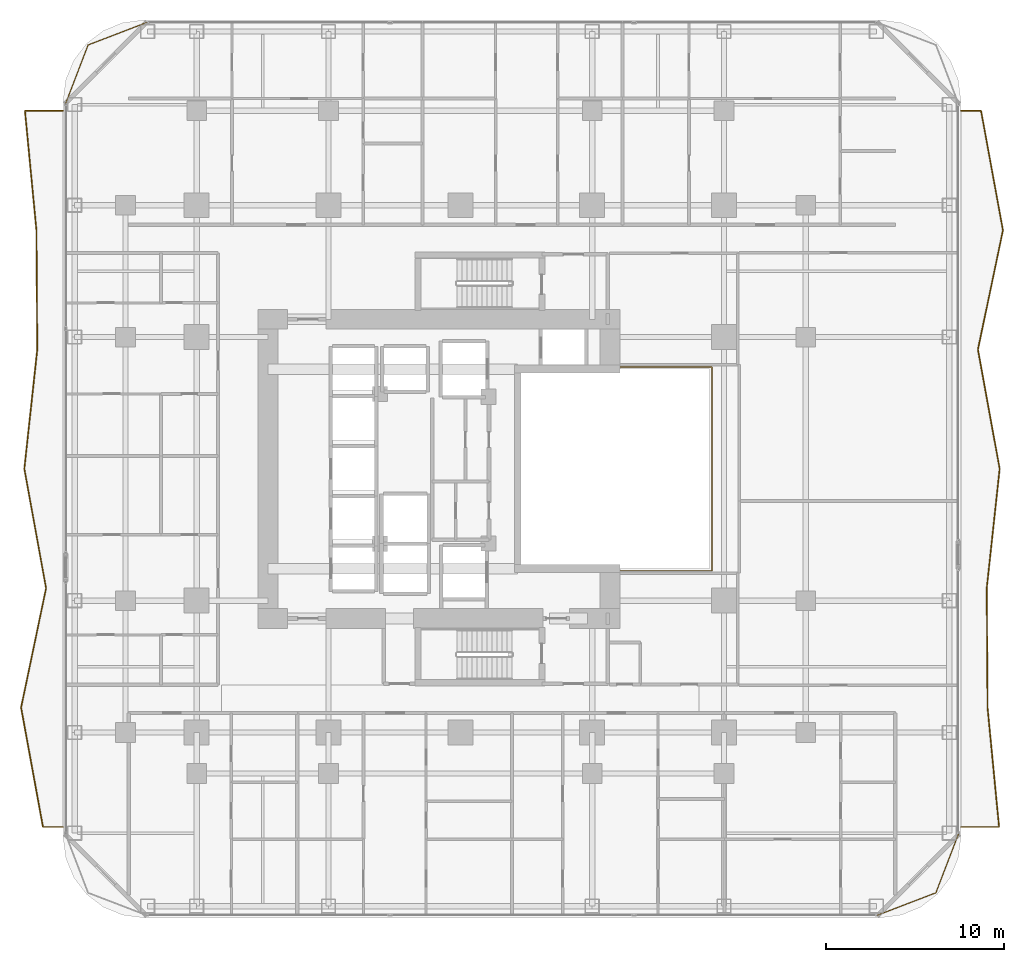
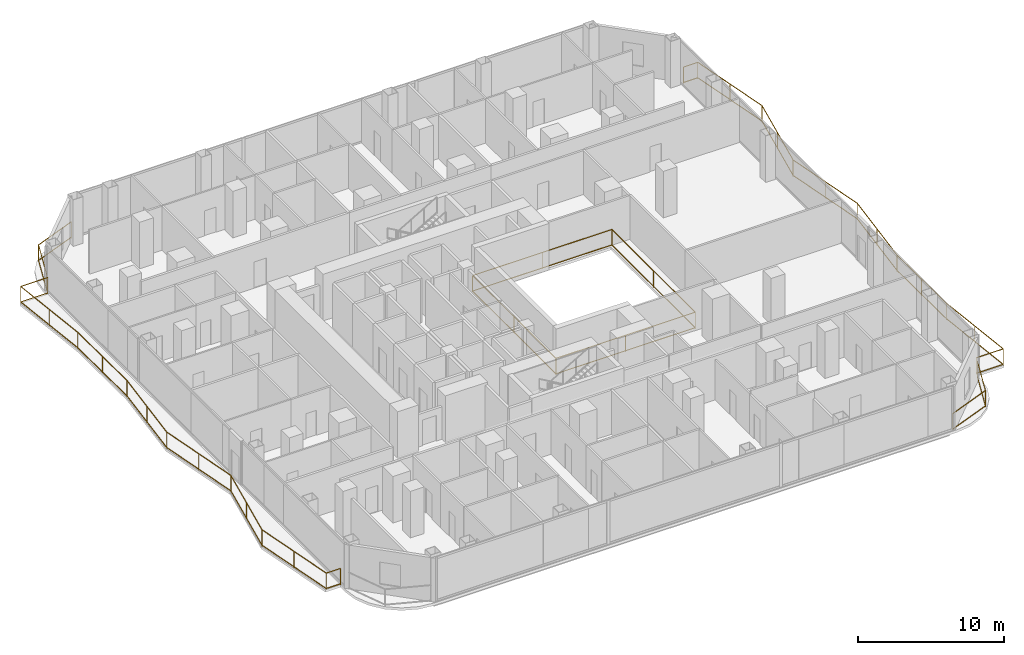
# One storey, part 27 of 28: 5 railings.
"""IFC4 building model written with IfcOpenShell, lengths in metres."""

from ifc_helpers import new_model, si_unit, direction, frame, origin, origin_2d, place, context, subcontext, project, spatial, rectangle, extrude, material, type_object, element, save


model = new_model("IFC4")

# Units and contexts
model_context = context("Model", 3, precision=1e-05, world=origin(), true_north=direction((0.0, 1.0)))
body_context = subcontext(model_context, "Body", "Model", "MODEL_VIEW")
ifc_project = project(units=[si_unit("LENGTHUNIT", "METRE"), si_unit("AREAUNIT", "SQUARE_METRE"), si_unit("VOLUMEUNIT", "CUBIC_METRE"), si_unit("PLANEANGLEUNIT", "RADIAN"), si_unit("MASSUNIT", "GRAM", prefix="KILO")], contexts=[model_context])

# Site, building, storey
site_placement = place(None, origin())
site = spatial("IfcSite", under=ifc_project, at=site_placement, CompositionType="ELEMENT")
building_placement = place(site_placement, origin())
building = spatial("IfcBuilding", under=site, at=building_placement, Name="Khorvyn Point Tower", CompositionType="ELEMENT")
storey_placement = place(building_placement, frame((0.0, 0.0, 34.5)))
storey = spatial("IfcBuildingStorey", under=building, at=storey_placement, Name="L09", CompositionType="ELEMENT", Elevation=34.5)

# Railings
ifc_material_1 = material(Name="Stainless steel 1.4401 and laminated glass", Category="steel")
railing_type_1 = type_object("IfcRailingType", Name="Crystal Atrium Smoke-Rated Perimeter Guardrail 1400", PredefinedType="GUARDRAIL", material=ifc_material_1)
railing_1_placement = place(storey_placement, frame((3.080078125, -5.719970703125, 0.0)))
element("IfcRailing", 1, at=railing_1_placement, inside=storey, type_object=railing_type_1, Name="L09 Crystal Atrium Perimeter Guardrail", PredefinedType="GUARDRAIL", context=body_context, shape_type="SweptSolid", body=[
    extrude(rectangle(XDim=0.048095703125, YDim=0.048095703125, at=origin_2d()), frame((0.0, 0.0, 1.3759765625), z_axis=(1.0, 0.0, 0.0), x_axis=(0.0, 1.0, 0.0)), (0.0, 0.0, 1.0), 11.0400390625),
    extrude(rectangle(XDim=0.048095703125, YDim=0.048095703125, at=origin_2d()), frame((0.0, 0.0, 0.080078125), z_axis=(1.0, 0.0, 0.0), x_axis=(0.0, 1.0, 0.0)), (0.0, 0.0, 1.0), 11.0400390625),
    extrude(rectangle(XDim=0.048095703125, YDim=0.048095703125, at=origin_2d()), frame((11.0400390625, 0.0, 1.3759765625), z_axis=(0.0, 1.0, 0.0), x_axis=(-1.0, 0.0, 0.0)), (0.0, 0.0, 1.0), 11.43994140625),
    extrude(rectangle(XDim=0.048095703125, YDim=0.048095703125, at=origin_2d()), frame((11.0400390625, 0.0, 0.080078125), z_axis=(0.0, 1.0, 0.0), x_axis=(-1.0, 0.0, 0.0)), (0.0, 0.0, 1.0), 11.43994140625),
    extrude(rectangle(XDim=0.048095703125, YDim=0.048095703125, at=origin_2d()), frame((11.0400390625, 11.43994140625, 1.3759765625), z_axis=(-1.0, 0.0, 0.0), x_axis=(0.0, -1.0, 0.0)), (0.0, 0.0, 1.0), 11.0400390625),
    extrude(rectangle(XDim=0.048095703125, YDim=0.048095703125, at=origin_2d()), frame((11.0400390625, 11.43994140625, 0.080078125), z_axis=(-1.0, 0.0, 0.0), x_axis=(0.0, -1.0, 0.0)), (0.0, 0.0, 1.0), 11.0400390625),
    extrude(rectangle(XDim=0.048095703125, YDim=0.048095703125, at=origin_2d()), frame((0.0, 11.43994140625, 1.3759765625), z_axis=(0.0, -1.0, 0.0), x_axis=(1.0, 0.0, 0.0)), (0.0, 0.0, 1.0), 11.409912109375),
    extrude(rectangle(XDim=0.048095703125, YDim=0.048095703125, at=origin_2d()), frame((0.0, 11.43994140625, 0.080078125), z_axis=(0.0, -1.0, 0.0), x_axis=(1.0, 0.0, 0.0)), (0.0, 0.0, 1.0), 11.409912109375),
    extrude(rectangle(XDim=0.0419921875, YDim=0.0419921875, at=origin_2d()), origin(), (0.0, 0.0, 1.0), 1.351806640625),
    extrude(rectangle(XDim=0.0419921875, YDim=0.0419921875, at=origin_2d()), frame((5.52001953125, 0.0, 0.0)), (0.0, 0.0, 1.0), 1.351806640625),
    extrude(rectangle(XDim=0.0419921875, YDim=0.0419921875, at=origin_2d()), frame((11.0400390625, 0.0, 0.0)), (0.0, 0.0, 1.0), 1.351806640625),
    extrude(rectangle(XDim=0.0419921875, YDim=0.0419921875, at=origin_2d()), frame((11.0400390625, 5.719970703125, 0.0)), (0.0, 0.0, 1.0), 1.351806640625),
    extrude(rectangle(XDim=0.0419921875, YDim=0.0419921875, at=origin_2d()), frame((11.0400390625, 11.43994140625, 0.0)), (0.0, 0.0, 1.0), 1.351806640625),
    extrude(rectangle(XDim=0.0419921875, YDim=0.0419921875, at=origin_2d()), frame((5.52001953125, 11.43994140625, 0.0)), (0.0, 0.0, 1.0), 1.351806640625),
    extrude(rectangle(XDim=0.0419921875, YDim=0.0419921875, at=origin_2d()), frame((0.0, 11.43994140625, 0.0)), (0.0, 0.0, 1.0), 1.351806640625),
    extrude(rectangle(XDim=0.0419921875, YDim=0.0419921875, at=origin_2d()), frame((0.0, 5.73486328125, 0.0)), (0.0, 0.0, 1.0), 1.351806640625),
    extrude(rectangle(XDim=0.0419921875, YDim=0.0419921875, at=origin_2d()), frame((0.0, 0.030029296875, 0.0)), (0.0, 0.0, 1.0), 1.351806640625),
])
ifc_material_2 = material(Name="Anodised aluminium 6063-T6 and laminated safety glass", Category="aluminium")
railing_type_2 = type_object("IfcRailingType", Name="Laminated Glass and Aluminium Balcony Guardrail 1400", PredefinedType="BALUSTRADE", material=ifc_material_2)
railing_2_placement = place(storey_placement, frame((-17.57080078125, 25.073974609375, 0.0)))
element("IfcRailing", 2, at=railing_2_placement, inside=storey, type_object=railing_type_2, Name="L09 Rounded Corner Edge Guardrail NW", PredefinedType="BALUSTRADE", context=body_context, shape_type="SweptSolid", body=[
    extrude(rectangle(XDim=0.048095703125, YDim=0.048095703125, at=origin_2d()), frame((0.0, 0.0, 1.3759765625), z_axis=(-0.933583807283, -0.358359142172, 0.0), x_axis=(0.358359142172, -0.933583807283, 0.0)), (0.0, 0.0, 1.0), 3.56298828125),
    extrude(rectangle(XDim=0.048095703125, YDim=0.048095703125, at=origin_2d()), frame((0.0, 0.0, 0.080078125), z_axis=(-0.933583807283, -0.358359142172, 0.0), x_axis=(0.358359142172, -0.933583807283, 0.0)), (0.0, 0.0, 1.0), 3.56298828125),
    extrude(rectangle(XDim=0.048095703125, YDim=0.048095703125, at=origin_2d()), frame((-3.326416015625, -1.27685546875, 1.3759765625), z_axis=(-0.358359142172, -0.933583807283, 0.0), x_axis=(0.933583807283, -0.358359142172, 0.0)), (0.0, 0.0, 1.0), 3.56298828125),
    extrude(rectangle(XDim=0.048095703125, YDim=0.048095703125, at=origin_2d()), frame((-3.326416015625, -1.27685546875, 0.080078125), z_axis=(-0.358359142172, -0.933583807283, 0.0), x_axis=(0.933583807283, -0.358359142172, 0.0)), (0.0, 0.0, 1.0), 3.56298828125),
    extrude(rectangle(XDim=0.0419921875, YDim=0.0419921875, at=origin_2d()), origin(), (0.0, 0.0, 1.0), 1.351806640625),
    extrude(rectangle(XDim=0.0419921875, YDim=0.0419921875, at=origin_2d()), frame((-3.326416015625, -1.27685546875, 0.0)), (0.0, 0.0, 1.0), 1.351806640625),
    extrude(rectangle(XDim=0.0419921875, YDim=0.0419921875, at=origin_2d()), frame((-4.603271484375, -4.603271484375, 0.0)), (0.0, 0.0, 1.0), 1.351806640625),
])
railing_3_placement = place(storey_placement, frame((23.370849609375, -25.073974609375, 0.0)))
element("IfcRailing", 3, at=railing_3_placement, inside=storey, type_object=railing_type_2, Name="L09 Rounded Corner Edge Guardrail SE", PredefinedType="BALUSTRADE", context=body_context, shape_type="SweptSolid", body=[
    extrude(rectangle(XDim=0.048095703125, YDim=0.048095703125, at=origin_2d()), frame((0.0, 0.0, 1.3759765625), z_axis=(0.933575007025, 0.358382067435, 0.0), x_axis=(-0.358382067435, 0.933575007025, 0.0)), (0.0, 0.0, 1.0), 3.562744140625),
    extrude(rectangle(XDim=0.048095703125, YDim=0.048095703125, at=origin_2d()), frame((0.0, 0.0, 0.080078125), z_axis=(0.933575007025, 0.358382067435, 0.0), x_axis=(-0.358382067435, 0.933575007025, 0.0)), (0.0, 0.0, 1.0), 3.562744140625),
    extrude(rectangle(XDim=0.048095703125, YDim=0.048095703125, at=origin_2d()), frame((3.326171875, 1.27685546875, 1.3759765625), z_axis=(0.35841886047, 0.933560882031, 0.0), x_axis=(-0.933560882031, 0.35841886047, 0.0)), (0.0, 0.0, 1.0), 3.563232421875),
    extrude(rectangle(XDim=0.048095703125, YDim=0.048095703125, at=origin_2d()), frame((3.326171875, 1.27685546875, 0.080078125), z_axis=(0.35841886047, 0.933560882031, 0.0), x_axis=(-0.933560882031, 0.35841886047, 0.0)), (0.0, 0.0, 1.0), 3.563232421875),
    extrude(rectangle(XDim=0.0419921875, YDim=0.0419921875, at=origin_2d()), origin(), (0.0, 0.0, 1.0), 1.351806640625),
    extrude(rectangle(XDim=0.0419921875, YDim=0.0419921875, at=origin_2d()), frame((3.326171875, 1.27685546875, 0.0)), (0.0, 0.0, 1.0), 1.351806640625),
    extrude(rectangle(XDim=0.0419921875, YDim=0.0419921875, at=origin_2d()), frame((4.603271484375, 4.603271484375, 0.0)), (0.0, 0.0, 1.0), 1.351806640625),
])
railing_4_placement = place(storey_placement, frame((28.10009765625, -20.10009765625, 0.0)))
element("IfcRailing", 4, at=railing_4_placement, inside=storey, type_object=railing_type_2, Name="L09 East Balcony Guardrail", PredefinedType="BALUSTRADE", context=body_context, shape_type="SweptSolid", body=[
    extrude(rectangle(XDim=0.048095703125, YDim=0.048095703125, at=origin_2d()), frame((0.0, 0.0, 1.3759765625), z_axis=(1.0, 0.0, 0.0), x_axis=(0.0, 1.0, 0.0)), (0.0, 0.0, 1.0), 2.142578125),
    extrude(rectangle(XDim=0.048095703125, YDim=0.048095703125, at=origin_2d()), frame((0.0, 0.0, 0.080078125), z_axis=(1.0, 0.0, 0.0), x_axis=(0.0, 1.0, 0.0)), (0.0, 0.0, 1.0), 2.142578125),
    extrude(rectangle(XDim=0.048095703125, YDim=0.048095703125, at=origin_2d()), frame((2.142578125, 0.0, 1.3759765625), z_axis=(-0.09586168551, 0.995394664066, 0.0), x_axis=(-0.995394664066, -0.09586168551, 0.0)), (0.0, 0.0, 1.0), 6.731201171875),
    extrude(rectangle(XDim=0.048095703125, YDim=0.048095703125, at=origin_2d()), frame((2.142578125, 0.0, 0.080078125), z_axis=(-0.09586168551, 0.995394664066, 0.0), x_axis=(-0.995394664066, -0.09586168551, 0.0)), (0.0, 0.0, 1.0), 6.731201171875),
    extrude(rectangle(XDim=0.048095703125, YDim=0.048095703125, at=origin_2d()), frame((1.497314453125, 6.7001953125, 1.3759765625), z_axis=(-0.006850402242, 0.999976535719, 0.0), x_axis=(-0.999976535719, -0.006850402242, 0.0)), (0.0, 0.0, 1.0), 6.7001953125),
    extrude(rectangle(XDim=0.048095703125, YDim=0.048095703125, at=origin_2d()), frame((1.497314453125, 6.7001953125, 0.080078125), z_axis=(-0.006850402242, 0.999976535719, 0.0), x_axis=(-0.999976535719, -0.006850402242, 0.0)), (0.0, 0.0, 1.0), 6.7001953125),
    extrude(rectangle(XDim=0.048095703125, YDim=0.048095703125, at=origin_2d()), frame((1.451416015625, 13.400146484375, 1.3759765625), z_axis=(0.107631852309, 0.994190818892, 0.0), x_axis=(-0.994190818892, 0.107631852309, 0.0)), (0.0, 0.0, 1.0), 6.739013671875),
    extrude(rectangle(XDim=0.048095703125, YDim=0.048095703125, at=origin_2d()), frame((1.451416015625, 13.400146484375, 0.080078125), z_axis=(0.107631852309, 0.994190818892, 0.0), x_axis=(-0.994190818892, 0.107631852309, 0.0)), (0.0, 0.0, 1.0), 6.739013671875),
    extrude(rectangle(XDim=0.048095703125, YDim=0.048095703125, at=origin_2d()), frame((2.1767578125, 20.10009765625, 1.3759765625), z_axis=(-0.179106269286, 0.98382973339, 0.0), x_axis=(-0.98382973339, -0.179106269286, 0.0)), (0.0, 0.0, 1.0), 6.81005859375),
    extrude(rectangle(XDim=0.048095703125, YDim=0.048095703125, at=origin_2d()), frame((2.1767578125, 20.10009765625, 0.080078125), z_axis=(-0.179106269286, 0.98382973339, 0.0), x_axis=(-0.98382973339, -0.179106269286, 0.0)), (0.0, 0.0, 1.0), 6.81005859375),
    extrude(rectangle(XDim=0.048095703125, YDim=0.048095703125, at=origin_2d()), frame((0.95703125, 26.800048828125, 1.3759765625), z_axis=(0.204969631985, 0.978768333143, 0.0), x_axis=(-0.978768333143, 0.204969631985, 0.0)), (0.0, 0.0, 1.0), 6.84521484375),
    extrude(rectangle(XDim=0.048095703125, YDim=0.048095703125, at=origin_2d()), frame((0.95703125, 26.800048828125, 0.080078125), z_axis=(0.204969631985, 0.978768333143, 0.0), x_axis=(-0.978768333143, 0.204969631985, 0.0)), (0.0, 0.0, 1.0), 6.84521484375),
    extrude(rectangle(XDim=0.048095703125, YDim=0.048095703125, at=origin_2d()), frame((2.360107421875, 33.5, 1.3759765625), z_axis=(-0.180348673749, 0.983602742919, 0.0), x_axis=(-0.983602742919, -0.180348673749, 0.0)), (0.0, 0.0, 1.0), 6.81201171875),
    extrude(rectangle(XDim=0.048095703125, YDim=0.048095703125, at=origin_2d()), frame((2.360107421875, 33.5, 0.080078125), z_axis=(-0.180348673749, 0.983602742919, 0.0), x_axis=(-0.983602742919, -0.180348673749, 0.0)), (0.0, 0.0, 1.0), 6.81201171875),
    extrude(rectangle(XDim=0.048095703125, YDim=0.048095703125, at=origin_2d()), frame((1.131591796875, 40.2001953125, 1.3759765625), z_axis=(-1.0, 0.0, 0.0), x_axis=(0.0, -1.0, 0.0)), (0.0, 0.0, 1.0), 1.131591796875),
    extrude(rectangle(XDim=0.048095703125, YDim=0.048095703125, at=origin_2d()), frame((1.131591796875, 40.2001953125, 0.080078125), z_axis=(-1.0, 0.0, 0.0), x_axis=(0.0, -1.0, 0.0)), (0.0, 0.0, 1.0), 1.131591796875),
    extrude(rectangle(XDim=0.0419921875, YDim=0.0419921875, at=origin_2d()), origin(), (0.0, 0.0, 1.0), 1.351806640625),
    extrude(rectangle(XDim=0.0419921875, YDim=0.0419921875, at=origin_2d()), frame((2.142578125, 0.0, 0.0)), (0.0, 0.0, 1.0), 1.351806640625),
    extrude(rectangle(XDim=0.0419921875, YDim=0.0419921875, at=origin_2d()), frame((1.81982421875, 3.35009765625, 0.0)), (0.0, 0.0, 1.0), 1.351806640625),
    extrude(rectangle(XDim=0.0419921875, YDim=0.0419921875, at=origin_2d()), frame((1.497314453125, 6.7001953125, 0.0)), (0.0, 0.0, 1.0), 1.351806640625),
    extrude(rectangle(XDim=0.0419921875, YDim=0.0419921875, at=origin_2d()), frame((1.474365234375, 10.05029296875, 0.0)), (0.0, 0.0, 1.0), 1.351806640625),
    extrude(rectangle(XDim=0.0419921875, YDim=0.0419921875, at=origin_2d()), frame((1.451416015625, 13.400146484375, 0.0)), (0.0, 0.0, 1.0), 1.351806640625),
    extrude(rectangle(XDim=0.0419921875, YDim=0.0419921875, at=origin_2d()), frame((1.81396484375, 16.75, 0.0)), (0.0, 0.0, 1.0), 1.351806640625),
    extrude(rectangle(XDim=0.0419921875, YDim=0.0419921875, at=origin_2d()), frame((2.1767578125, 20.10009765625, 0.0)), (0.0, 0.0, 1.0), 1.351806640625),
    extrude(rectangle(XDim=0.0419921875, YDim=0.0419921875, at=origin_2d()), frame((1.56689453125, 23.4501953125, 0.0)), (0.0, 0.0, 1.0), 1.351806640625),
    extrude(rectangle(XDim=0.0419921875, YDim=0.0419921875, at=origin_2d()), frame((0.95703125, 26.800048828125, 0.0)), (0.0, 0.0, 1.0), 1.351806640625),
    extrude(rectangle(XDim=0.0419921875, YDim=0.0419921875, at=origin_2d()), frame((1.65869140625, 30.14990234375, 0.0)), (0.0, 0.0, 1.0), 1.351806640625),
    extrude(rectangle(XDim=0.0419921875, YDim=0.0419921875, at=origin_2d()), frame((2.360107421875, 33.5, 0.0)), (0.0, 0.0, 1.0), 1.351806640625),
    extrude(rectangle(XDim=0.0419921875, YDim=0.0419921875, at=origin_2d()), frame((1.745849609375, 36.85009765625, 0.0)), (0.0, 0.0, 1.0), 1.351806640625),
    extrude(rectangle(XDim=0.0419921875, YDim=0.0419921875, at=origin_2d()), frame((1.131591796875, 40.2001953125, 0.0)), (0.0, 0.0, 1.0), 1.351806640625),
    extrude(rectangle(XDim=0.0419921875, YDim=0.0419921875, at=origin_2d()), frame((0.0, 40.2001953125, 0.0)), (0.0, 0.0, 1.0), 1.351806640625),
])
railing_5_placement = place(storey_placement, frame((-22.300048828125, 20.10009765625, 0.0)))
element("IfcRailing", 5, at=railing_5_placement, inside=storey, type_object=railing_type_2, Name="L09 West Balcony Guardrail", PredefinedType="BALUSTRADE", context=body_context, shape_type="SweptSolid", body=[
    extrude(rectangle(XDim=0.048095703125, YDim=0.048095703125, at=origin_2d()), frame((0.0, 0.0, 1.3759765625), z_axis=(-1.0, 0.0, 0.0), x_axis=(0.0, -1.0, 0.0)), (0.0, 0.0, 1.0), 2.142578125),
    extrude(rectangle(XDim=0.048095703125, YDim=0.048095703125, at=origin_2d()), frame((0.0, 0.0, 0.080078125), z_axis=(-1.0, 0.0, 0.0), x_axis=(0.0, -1.0, 0.0)), (0.0, 0.0, 1.0), 2.142578125),
    extrude(rectangle(XDim=0.048095703125, YDim=0.048095703125, at=origin_2d()), frame((-2.142578125, 0.0, 1.3759765625), z_axis=(0.095825748596, -0.995398124323, 0.0), x_axis=(0.995398124323, 0.095825748596, 0.0)), (0.0, 0.0, 1.0), 6.731201171875),
    extrude(rectangle(XDim=0.048095703125, YDim=0.048095703125, at=origin_2d()), frame((-2.142578125, 0.0, 0.080078125), z_axis=(0.095825748596, -0.995398124323, 0.0), x_axis=(0.995398124323, 0.095825748596, 0.0)), (0.0, 0.0, 1.0), 6.731201171875),
    extrude(rectangle(XDim=0.048095703125, YDim=0.048095703125, at=origin_2d()), frame((-1.49755859375, -6.7001953125, 1.3759765625), z_axis=(0.006850402242, -0.999976535719, 0.0), x_axis=(0.999976535719, 0.006850402242, 0.0)), (0.0, 0.0, 1.0), 6.7001953125),
    extrude(rectangle(XDim=0.048095703125, YDim=0.048095703125, at=origin_2d()), frame((-1.49755859375, -6.7001953125, 0.080078125), z_axis=(0.006850402242, -0.999976535719, 0.0), x_axis=(0.999976535719, 0.006850402242, 0.0)), (0.0, 0.0, 1.0), 6.7001953125),
    extrude(rectangle(XDim=0.048095703125, YDim=0.048095703125, at=origin_2d()), frame((-1.45166015625, -13.400146484375, 1.3759765625), z_axis=(-0.107596044298, -0.994194694842, 0.0), x_axis=(0.994194694842, -0.107596044298, 0.0)), (0.0, 0.0, 1.0), 6.739013671875),
    extrude(rectangle(XDim=0.048095703125, YDim=0.048095703125, at=origin_2d()), frame((-1.45166015625, -13.400146484375, 0.080078125), z_axis=(-0.107596044298, -0.994194694842, 0.0), x_axis=(0.994194694842, -0.107596044298, 0.0)), (0.0, 0.0, 1.0), 6.739013671875),
    extrude(rectangle(XDim=0.048095703125, YDim=0.048095703125, at=origin_2d()), frame((-2.1767578125, -20.10009765625, 1.3759765625), z_axis=(0.179106269286, -0.98382973339, 0.0), x_axis=(0.98382973339, 0.179106269286, 0.0)), (0.0, 0.0, 1.0), 6.81005859375),
    extrude(rectangle(XDim=0.048095703125, YDim=0.048095703125, at=origin_2d()), frame((-2.1767578125, -20.10009765625, 0.080078125), z_axis=(0.179106269286, -0.98382973339, 0.0), x_axis=(0.98382973339, 0.179106269286, 0.0)), (0.0, 0.0, 1.0), 6.81005859375),
    extrude(rectangle(XDim=0.048095703125, YDim=0.048095703125, at=origin_2d()), frame((-0.95703125, -26.800048828125, 1.3759765625), z_axis=(-0.204969631985, -0.978768333143, 0.0), x_axis=(0.978768333143, -0.204969631985, 0.0)), (0.0, 0.0, 1.0), 6.84521484375),
    extrude(rectangle(XDim=0.048095703125, YDim=0.048095703125, at=origin_2d()), frame((-0.95703125, -26.800048828125, 0.080078125), z_axis=(-0.204969631985, -0.978768333143, 0.0), x_axis=(0.978768333143, -0.204969631985, 0.0)), (0.0, 0.0, 1.0), 6.84521484375),
    extrude(rectangle(XDim=0.048095703125, YDim=0.048095703125, at=origin_2d()), frame((-2.360107421875, -33.5, 1.3759765625), z_axis=(0.180348673749, -0.983602742919, 0.0), x_axis=(0.983602742919, 0.180348673749, 0.0)), (0.0, 0.0, 1.0), 6.81201171875),
    extrude(rectangle(XDim=0.048095703125, YDim=0.048095703125, at=origin_2d()), frame((-2.360107421875, -33.5, 0.080078125), z_axis=(0.180348673749, -0.983602742919, 0.0), x_axis=(0.983602742919, 0.180348673749, 0.0)), (0.0, 0.0, 1.0), 6.81201171875),
    extrude(rectangle(XDim=0.048095703125, YDim=0.048095703125, at=origin_2d()), frame((-1.131591796875, -40.2001953125, 1.3759765625), z_axis=(1.0, 0.0, 0.0), x_axis=(0.0, 1.0, 0.0)), (0.0, 0.0, 1.0), 1.131591796875),
    extrude(rectangle(XDim=0.048095703125, YDim=0.048095703125, at=origin_2d()), frame((-1.131591796875, -40.2001953125, 0.080078125), z_axis=(1.0, 0.0, 0.0), x_axis=(0.0, 1.0, 0.0)), (0.0, 0.0, 1.0), 1.131591796875),
    extrude(rectangle(XDim=0.0419921875, YDim=0.0419921875, at=origin_2d()), origin(), (0.0, 0.0, 1.0), 1.351806640625),
    extrude(rectangle(XDim=0.0419921875, YDim=0.0419921875, at=origin_2d()), frame((-2.142578125, 0.0, 0.0)), (0.0, 0.0, 1.0), 1.351806640625),
    extrude(rectangle(XDim=0.0419921875, YDim=0.0419921875, at=origin_2d()), frame((-1.820068359375, -3.35009765625, 0.0)), (0.0, 0.0, 1.0), 1.351806640625),
    extrude(rectangle(XDim=0.0419921875, YDim=0.0419921875, at=origin_2d()), frame((-1.49755859375, -6.7001953125, 0.0)), (0.0, 0.0, 1.0), 1.351806640625),
    extrude(rectangle(XDim=0.0419921875, YDim=0.0419921875, at=origin_2d()), frame((-1.474609375, -10.05029296875, 0.0)), (0.0, 0.0, 1.0), 1.351806640625),
    extrude(rectangle(XDim=0.0419921875, YDim=0.0419921875, at=origin_2d()), frame((-1.45166015625, -13.400146484375, 0.0)), (0.0, 0.0, 1.0), 1.351806640625),
    extrude(rectangle(XDim=0.0419921875, YDim=0.0419921875, at=origin_2d()), frame((-1.814208984375, -16.75, 0.0)), (0.0, 0.0, 1.0), 1.351806640625),
    extrude(rectangle(XDim=0.0419921875, YDim=0.0419921875, at=origin_2d()), frame((-2.1767578125, -20.10009765625, 0.0)), (0.0, 0.0, 1.0), 1.351806640625),
    extrude(rectangle(XDim=0.0419921875, YDim=0.0419921875, at=origin_2d()), frame((-1.56689453125, -23.4501953125, 0.0)), (0.0, 0.0, 1.0), 1.351806640625),
    extrude(rectangle(XDim=0.0419921875, YDim=0.0419921875, at=origin_2d()), frame((-0.95703125, -26.800048828125, 0.0)), (0.0, 0.0, 1.0), 1.351806640625),
    extrude(rectangle(XDim=0.0419921875, YDim=0.0419921875, at=origin_2d()), frame((-1.65869140625, -30.14990234375, 0.0)), (0.0, 0.0, 1.0), 1.351806640625),
    extrude(rectangle(XDim=0.0419921875, YDim=0.0419921875, at=origin_2d()), frame((-2.360107421875, -33.5, 0.0)), (0.0, 0.0, 1.0), 1.351806640625),
    extrude(rectangle(XDim=0.0419921875, YDim=0.0419921875, at=origin_2d()), frame((-1.745849609375, -36.85009765625, 0.0)), (0.0, 0.0, 1.0), 1.351806640625),
    extrude(rectangle(XDim=0.0419921875, YDim=0.0419921875, at=origin_2d()), frame((-1.131591796875, -40.2001953125, 0.0)), (0.0, 0.0, 1.0), 1.351806640625),
    extrude(rectangle(XDim=0.0419921875, YDim=0.0419921875, at=origin_2d()), frame((0.0, -40.2001953125, 0.0)), (0.0, 0.0, 1.0), 1.351806640625),
])

save(model, "model.ifc")
